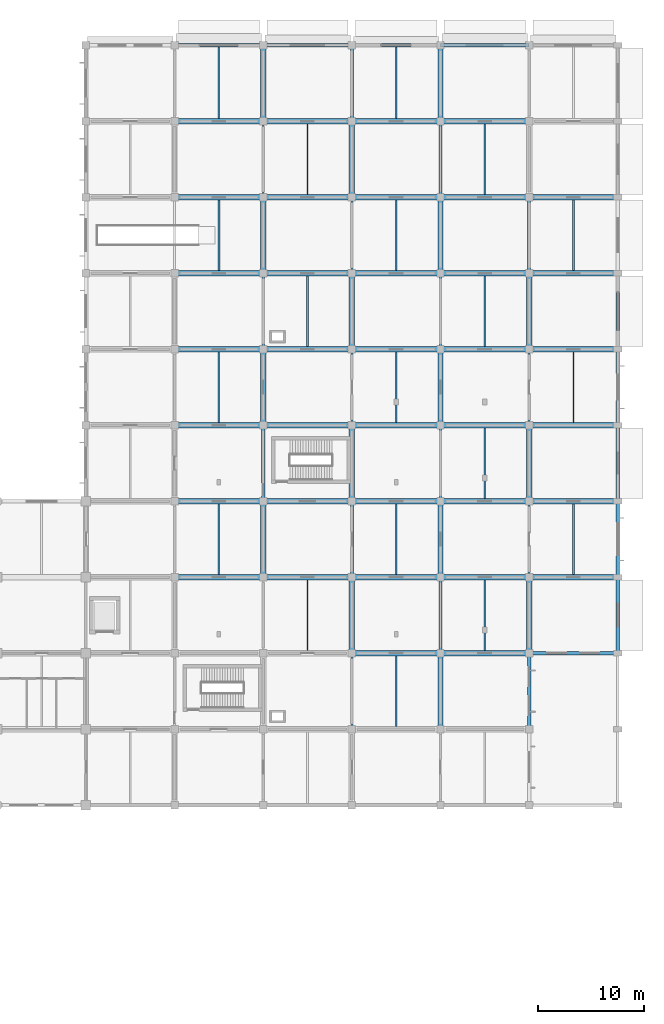
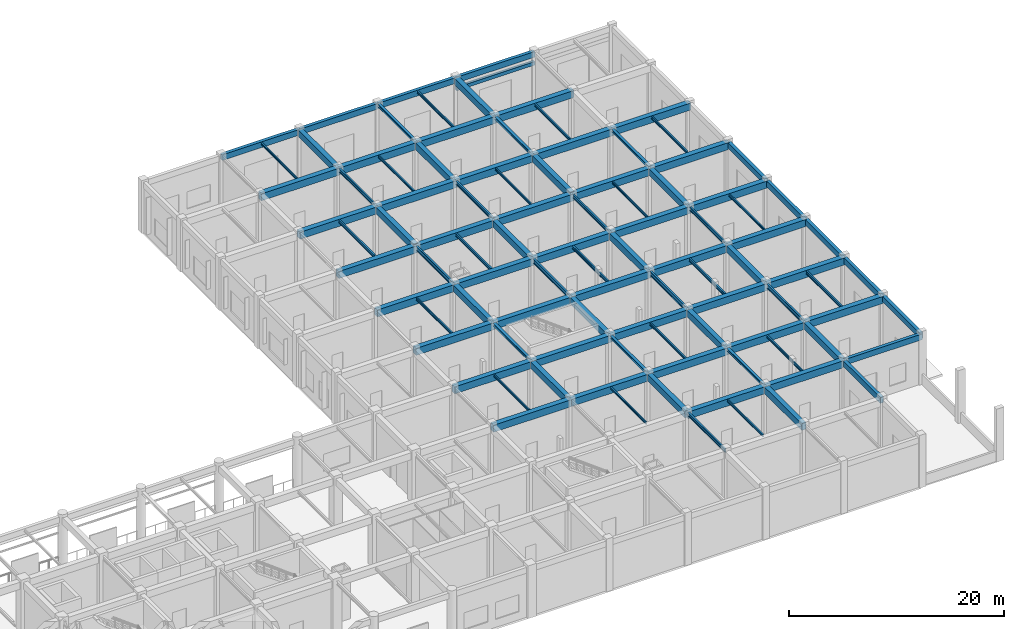
# One storey, part 9 of 39: 98 beams.
"""IFC4 building model written with IfcOpenShell, lengths in metres."""

from ifc_helpers import new_model, si_unit, derived_unit, direction, frame, origin, origin_2d, place, context, subcontext, project, spatial, rectangle, i_section, extrude, material, material_profile, profile_set, type_object, element, save


model = new_model("IFC4")

# Units and contexts
model_context = context("Model", 3, precision=1e-05, world=origin(), true_north=direction((0.0, 1.0)))
body_context = subcontext(model_context, "Body", "Model", "MODEL_VIEW")
ifc_project = project(units=[si_unit("LENGTHUNIT", "METRE"), si_unit("AREAUNIT", "SQUARE_METRE"), si_unit("VOLUMEUNIT", "CUBIC_METRE"), si_unit("PLANEANGLEUNIT", "RADIAN"), si_unit("MASSUNIT", "GRAM", prefix="KILO"), derived_unit("THERMALTRANSMITTANCEUNIT", [(si_unit("MASSUNIT", "GRAM", prefix="KILO"), 1), (si_unit("TIMEUNIT", "SECOND"), -3), (si_unit("THERMODYNAMICTEMPERATUREUNIT", "KELVIN"), -1)])], contexts=[model_context])

# Site, building, storey
site_placement = place(None, origin())
site = spatial("IfcSite", under=ifc_project, at=site_placement, CompositionType="ELEMENT")
building_placement = place(site_placement, origin())
building = spatial("IfcBuilding", under=site, at=building_placement, Name="Veldstrom Oceanarium and Marine Research Institute", CompositionType="ELEMENT")
storey_placement = place(building_placement, origin())
storey = spatial("IfcBuildingStorey", under=building, at=storey_placement, Name="L00", CompositionType="ELEMENT", Elevation=0.0)

# Beams
ifc_material_1 = material(Name="Concrete C40/50", Category="concrete")
ifc_material_profile_1 = material_profile(ifc_material_1, rectangle(XDim=0.550048828125, YDim=0.800048828125, at=origin_2d()), Name="RC-BM-550x800")
ifc_profile_set_1 = profile_set([ifc_material_profile_1], Name="Concrete C40/50")
beam_type_1 = type_object("IfcBeamType", Name="STR-BM-B02", PredefinedType="BEAM", material=ifc_profile_set_1)
for number, where, z_axis, x_axis, name in (
    (1, (126.0, 64.800048828125, 5.27001953125), (1.0, 0.0, 0.0), (0.0, 1.0, 0.0), "Primary Beam B02 L00-0841"),
    (2, (126.0, 72.0, 5.27001953125), (1.0, 0.0, 0.0), (0.0, 1.0, 0.0), "Primary Beam B02 L00-0842"),
    (3, (126.0, 79.199951171875, 5.27001953125), (1.0, 0.0, 0.0), (0.0, 1.0, 0.0), "Primary Beam B02 L00-0843"),
    (4, (126.0, 86.39990234375, 5.27001953125), (1.0, 0.0, 0.0), (0.0, 1.0, 0.0), "Primary Beam B02 L00-0844"),
    (5, (126.0, 93.60009765625, 5.27001953125), (1.0, 0.0, 0.0), (0.0, 1.0, 0.0), "Primary Beam B02 L00-0845"),
    (6, (126.0, 100.800048828125, 5.3701171875), (1.0, 0.0, 0.0), (0.0, 1.0, 0.0), "Primary Beam B02 L00-0846"),
    (7, (126.0, 108.0, 5.3701171875), (1.0, 0.0, 0.0), (0.0, 1.0, 0.0), "Primary Beam B02 L00-0847"),
):
    element("IfcBeam", number, at=place(storey_placement, frame(where, z_axis=z_axis, x_axis=x_axis)), inside=storey, type_object=beam_type_1, Name=name, PredefinedType="BEAM", context=body_context, shape_type="SweptSolid", body=[
        extrude(rectangle(XDim=0.550048828125, YDim=0.800048828125, at=origin_2d()), origin(), (0.0, 0.0, 1.0), 8.39990234375),
    ])
for number, where, z_axis, x_axis, name in (
    (8, (134.39990234375, 64.800048828125, 5.27001953125), (1.0, 0.0, 0.0), (0.0, 1.0, 0.0), "Primary Beam B02 L00-0852"),
    (9, (134.39990234375, 72.0, 5.27001953125), (1.0, 0.0, 0.0), (0.0, 1.0, 0.0), "Primary Beam B02 L00-0853"),
    (10, (134.39990234375, 79.199951171875, 5.27001953125), (1.0, 0.0, 0.0), (0.0, 1.0, 0.0), "Primary Beam B02 L00-0854"),
    (11, (134.39990234375, 86.39990234375, 5.27001953125), (1.0, 0.0, 0.0), (0.0, 1.0, 0.0), "Primary Beam B02 L00-0855"),
    (12, (134.39990234375, 93.60009765625, 5.27001953125), (1.0, 0.0, 0.0), (0.0, 1.0, 0.0), "Primary Beam B02 L00-0856"),
    (13, (134.39990234375, 100.800048828125, 5.3701171875), (1.0, 0.0, 0.0), (0.0, 1.0, 0.0), "Primary Beam B02 L00-0857"),
    (14, (134.39990234375, 108.0, 5.3701171875), (1.0, 0.0, 0.0), (0.0, 1.0, 0.0), "Primary Beam B02 L00-0858"),
):
    element("IfcBeam", number, at=place(storey_placement, frame(where, z_axis=z_axis, x_axis=x_axis)), inside=storey, type_object=beam_type_1, Name=name, PredefinedType="BEAM", context=body_context, shape_type="SweptSolid", body=[
        extrude(rectangle(XDim=0.550048828125, YDim=0.800048828125, at=origin_2d()), origin(), (0.0, 0.0, 1.0), 8.400146484375),
    ])
for number, where, z_axis, x_axis, name in (
    (15, (142.800048828125, 57.60009765625, 5.27001953125), (1.0, 0.0, 0.0), (0.0, 1.0, 0.0), "Primary Beam B02 L00-0862"),
    (16, (142.800048828125, 64.800048828125, 5.27001953125), (1.0, 0.0, 0.0), (0.0, 1.0, 0.0), "Primary Beam B02 L00-0863"),
    (17, (142.800048828125, 72.0, 5.27001953125), (1.0, 0.0, 0.0), (0.0, 1.0, 0.0), "Primary Beam B02 L00-0864"),
    (18, (142.800048828125, 79.199951171875, 5.27001953125), (1.0, 0.0, 0.0), (0.0, 1.0, 0.0), "Primary Beam B02 L00-0865"),
    (19, (142.800048828125, 86.39990234375, 5.27001953125), (1.0, 0.0, 0.0), (0.0, 1.0, 0.0), "Primary Beam B02 L00-0866"),
    (20, (142.800048828125, 93.60009765625, 5.27001953125), (1.0, 0.0, 0.0), (0.0, 1.0, 0.0), "Primary Beam B02 L00-0867"),
    (21, (142.800048828125, 100.800048828125, 5.3701171875), (1.0, 0.0, 0.0), (0.0, 1.0, 0.0), "Primary Beam B02 L00-0868"),
    (22, (142.800048828125, 108.0, 5.3701171875), (1.0, 0.0, 0.0), (0.0, 1.0, 0.0), "Primary Beam B02 L00-0869"),
):
    element("IfcBeam", number, at=place(storey_placement, frame(where, z_axis=z_axis, x_axis=x_axis)), inside=storey, type_object=beam_type_1, Name=name, PredefinedType="BEAM", context=body_context, shape_type="SweptSolid", body=[
        extrude(rectangle(XDim=0.550048828125, YDim=0.800048828125, at=origin_2d()), origin(), (0.0, 0.0, 1.0), 8.39990234375),
    ])
for number, where, z_axis, x_axis, name in (
    (23, (151.199951171875, 57.60009765625, 5.27001953125), (1.0, 0.0, 0.0), (0.0, 1.0, 0.0), "Primary Beam B02 L00-0873"),
    (24, (151.199951171875, 64.800048828125, 5.27001953125), (1.0, 0.0, 0.0), (0.0, 1.0, 0.0), "Primary Beam B02 L00-0874"),
    (25, (151.199951171875, 72.0, 5.27001953125), (1.0, 0.0, 0.0), (0.0, 1.0, 0.0), "Primary Beam B02 L00-0875"),
    (26, (151.199951171875, 79.199951171875, 5.27001953125), (1.0, 0.0, 0.0), (0.0, 1.0, 0.0), "Primary Beam B02 L00-0876"),
    (27, (151.199951171875, 86.39990234375, 5.27001953125), (1.0, 0.0, 0.0), (0.0, 1.0, 0.0), "Primary Beam B02 L00-0877"),
    (28, (151.199951171875, 93.60009765625, 5.27001953125), (1.0, 0.0, 0.0), (0.0, 1.0, 0.0), "Primary Beam B02 L00-0878"),
    (29, (151.199951171875, 100.800048828125, 5.3701171875), (1.0, 0.0, 0.0), (0.0, 1.0, 0.0), "Primary Beam B02 L00-0879"),
    (30, (151.199951171875, 108.0, 5.3701171875), (1.0, 0.0, 0.0), (0.0, 1.0, 0.0), "Primary Beam B02 L00-0880"),
):
    element("IfcBeam", number, at=place(storey_placement, frame(where, z_axis=z_axis, x_axis=x_axis)), inside=storey, type_object=beam_type_1, Name=name, PredefinedType="BEAM", context=body_context, shape_type="SweptSolid", body=[
        extrude(rectangle(XDim=0.550048828125, YDim=0.800048828125, at=origin_2d()), origin(), (0.0, 0.0, 1.0), 8.400146484375),
    ])
for number, where, z_axis, x_axis, name in (
    (31, (159.60009765625, 64.800048828125, 5.27001953125), (1.0, 0.0, 0.0), (0.0, 1.0, 0.0), "Primary Beam B02 L00-0883"),
    (32, (159.60009765625, 72.0, 5.27001953125), (1.0, 0.0, 0.0), (0.0, 1.0, 0.0), "Primary Beam B02 L00-0884"),
    (33, (159.60009765625, 79.199951171875, 5.27001953125), (1.0, 0.0, 0.0), (0.0, 1.0, 0.0), "Primary Beam B02 L00-0885"),
    (34, (159.60009765625, 86.39990234375, 5.27001953125), (1.0, 0.0, 0.0), (0.0, 1.0, 0.0), "Primary Beam B02 L00-0886"),
    (35, (159.60009765625, 93.60009765625, 5.27001953125), (1.0, 0.0, 0.0), (0.0, 1.0, 0.0), "Primary Beam B02 L00-0887"),
    (36, (159.60009765625, 100.800048828125, 5.3701171875), (1.0, 0.0, 0.0), (0.0, 1.0, 0.0), "Primary Beam B02 L00-0888"),
):
    element("IfcBeam", number, at=place(storey_placement, frame(where, z_axis=z_axis, x_axis=x_axis)), inside=storey, type_object=beam_type_1, Name=name, PredefinedType="BEAM", context=body_context, shape_type="SweptSolid", body=[
        extrude(rectangle(XDim=0.550048828125, YDim=0.800048828125, at=origin_2d()), origin(), (0.0, 0.0, 1.0), 8.39990234375),
    ])
ifc_material_2 = material(Name="Concrete C40/50", Category="concrete")
ifc_material_profile_2 = material_profile(ifc_material_2, rectangle(XDim=0.5, YDim=0.75, at=origin_2d()), Name="RC-BM-500x750")
ifc_profile_set_2 = profile_set([ifc_material_profile_2], Name="Concrete C40/50")
beam_type_2 = type_object("IfcBeamType", Name="STR-BM-B03", PredefinedType="BEAM", material=ifc_profile_set_2)
for number, where, z_axis, x_axis, name in (
    (37, (134.39990234375, 64.800048828125, 5.294921875), (0.0, 1.0, 0.0), (-1.0, 0.0, 0.0), "Primary Beam B03 L00-1018"),
    (38, (134.39990234375, 79.199951171875, 5.294921875), (0.0, 1.0, 0.0), (-1.0, 0.0, 0.0), "Primary Beam B03 L00-1020"),
    (39, (134.39990234375, 93.60009765625, 5.39501953125), (0.0, 1.0, 0.0), (-1.0, 0.0, 0.0), "Primary Beam B03 L00-1022"),
    (40, (134.39990234375, 108.0, 5.39501953125), (0.0, 1.0, 0.0), (-1.0, 0.0, 0.0), "Primary Beam B03 L00-1024"),
    (41, (142.800048828125, 57.60009765625, 5.294921875), (0.0, 1.0, 0.0), (-1.0, 0.0, 0.0), "Primary Beam B03 L00-1027"),
    (42, (142.800048828125, 72.0, 5.294921875), (0.0, 1.0, 0.0), (-1.0, 0.0, 0.0), "Primary Beam B03 L00-1029"),
):
    element("IfcBeam", number, at=place(storey_placement, frame(where, z_axis=z_axis, x_axis=x_axis)), inside=storey, type_object=beam_type_2, Name=name, PredefinedType="BEAM", context=body_context, shape_type="SweptSolid", body=[
        extrude(rectangle(XDim=0.5, YDim=0.75, at=origin_2d()), origin(), (0.0, 0.0, 1.0), 7.199951171875),
    ])
beam_1_placement = place(storey_placement, frame((142.800048828125, 86.39990234375, 5.294921875), z_axis=(0.0, 1.0, 0.0), x_axis=(-1.0, 0.0, 0.0)))
element("IfcBeam", 43, at=beam_1_placement, inside=storey, type_object=beam_type_2, Name="Primary Beam B03 L00-1031", PredefinedType="BEAM", context=body_context, shape_type="SweptSolid", body=[
    extrude(rectangle(XDim=0.5, YDim=0.75, at=origin_2d()), origin(), (0.0, 0.0, 1.0), 7.2001953125),
])
beam_2_placement = place(storey_placement, frame((142.800048828125, 100.800048828125, 5.39501953125), z_axis=(0.0, 1.0, 0.0), x_axis=(-1.0, 0.0, 0.0)))
element("IfcBeam", 44, at=beam_2_placement, inside=storey, type_object=beam_type_2, Name="Primary Beam B03 L00-1033", PredefinedType="BEAM", context=body_context, shape_type="SweptSolid", body=[
    extrude(rectangle(XDim=0.5, YDim=0.75, at=origin_2d()), origin(), (0.0, 0.0, 1.0), 7.199951171875),
])
beam_3_placement = place(storey_placement, frame((151.199951171875, 50.39990234375, 5.294921875), z_axis=(0.0, 1.0, 0.0), x_axis=(-1.0, 0.0, 0.0)))
element("IfcBeam", 45, at=beam_3_placement, inside=storey, type_object=beam_type_2, Name="Primary Beam B03 L00-1036", PredefinedType="BEAM", context=body_context, shape_type="SweptSolid", body=[
    extrude(rectangle(XDim=0.5, YDim=0.75, at=origin_2d()), origin(), (0.0, 0.0, 1.0), 7.2001953125),
])
for number, where, z_axis, x_axis, name in (
    (46, (151.199951171875, 64.800048828125, 5.294921875), (0.0, 1.0, 0.0), (-1.0, 0.0, 0.0), "Primary Beam B03 L00-1038"),
    (47, (151.199951171875, 79.199951171875, 5.294921875), (0.0, 1.0, 0.0), (-1.0, 0.0, 0.0), "Primary Beam B03 L00-1040"),
    (48, (151.199951171875, 93.60009765625, 5.39501953125), (0.0, 1.0, 0.0), (-1.0, 0.0, 0.0), "Primary Beam B03 L00-1042"),
    (49, (151.199951171875, 108.0, 5.39501953125), (0.0, 1.0, 0.0), (-1.0, 0.0, 0.0), "Primary Beam B03 L00-1044"),
    (50, (159.60009765625, 57.60009765625, 5.294921875), (0.0, 1.0, 0.0), (-1.0, 0.0, 0.0), "Primary Beam B03 L00-1047"),
    (51, (159.60009765625, 72.0, 5.294921875), (0.0, 1.0, 0.0), (-1.0, 0.0, 0.0), "Primary Beam B03 L00-1049"),
):
    element("IfcBeam", number, at=place(storey_placement, frame(where, z_axis=z_axis, x_axis=x_axis)), inside=storey, type_object=beam_type_2, Name=name, PredefinedType="BEAM", context=body_context, shape_type="SweptSolid", body=[
        extrude(rectangle(XDim=0.5, YDim=0.75, at=origin_2d()), origin(), (0.0, 0.0, 1.0), 7.199951171875),
    ])
beam_4_placement = place(storey_placement, frame((159.60009765625, 86.39990234375, 5.294921875), z_axis=(0.0, 1.0, 0.0), x_axis=(-1.0, 0.0, 0.0)))
element("IfcBeam", 52, at=beam_4_placement, inside=storey, type_object=beam_type_2, Name="Primary Beam B03 L00-1051", PredefinedType="BEAM", context=body_context, shape_type="SweptSolid", body=[
    extrude(rectangle(XDim=0.5, YDim=0.75, at=origin_2d()), origin(), (0.0, 0.0, 1.0), 7.2001953125),
])
ifc_material_3 = material(Name="Steel S355JR", Category="steel")
ifc_material_profile_3 = material_profile(ifc_material_3, i_section(OverallWidth=0.300048828125, OverallDepth=0.2900390625, WebThickness=0.008544921875, FlangeThickness=0.013916015625, FilletRadius=0.027099609375, at=origin_2d()), Name="HEA 300")
ifc_profile_set_3 = profile_set([ifc_material_profile_3], Name="Steel S355JR")
beam_type_3 = type_object("IfcBeamType", Name="STR-BM-SB10", PredefinedType="BEAM", material=ifc_profile_set_3)
for number, where, z_axis, x_axis, name in (
    (53, (134.39990234375, 72.0, 5.52490234375), (0.0, 1.0, 0.0), (-1.0, 0.0, 0.0), "Steel Tie Beam SB10 L00-1019"),
    (54, (142.800048828125, 64.800048828125, 5.52490234375), (0.0, 1.0, 0.0), (-1.0, 0.0, 0.0), "Steel Tie Beam SB10 L00-1028"),
    (55, (142.800048828125, 108.0, 5.625), (0.0, 1.0, 0.0), (-1.0, 0.0, 0.0), "Steel Tie Beam SB10 L00-1034"),
    (56, (151.199951171875, 57.60009765625, 5.52490234375), (0.0, 1.0, 0.0), (-1.0, 0.0, 0.0), "Steel Tie Beam SB10 L00-1037"),
    (57, (151.199951171875, 100.800048828125, 5.625), (0.0, 1.0, 0.0), (-1.0, 0.0, 0.0), "Steel Tie Beam SB10 L00-1043"),
    (58, (159.60009765625, 93.60009765625, 5.625), (0.0, 1.0, 0.0), (-1.0, 0.0, 0.0), "Steel Tie Beam SB10 L00-1052"),
):
    element("IfcBeam", number, at=place(storey_placement, frame(where, z_axis=z_axis, x_axis=x_axis)), inside=storey, type_object=beam_type_3, Name=name, PredefinedType="BEAM", context=body_context, shape_type="SweptSolid", body=[
        extrude(i_section(OverallWidth=0.300048828125, OverallDepth=0.2900390625, WebThickness=0.008544921875, FlangeThickness=0.013916015625, FilletRadius=0.027099609375, at=origin_2d()), origin(), (0.0, 0.0, 1.0), 7.199951171875),
    ])
ifc_material_4 = material(Name="Steel S355JR", Category="steel")
ifc_material_profile_4 = material_profile(ifc_material_4, i_section(OverallWidth=0.199951171875, OverallDepth=0.5, WebThickness=0.01025390625, FlangeThickness=0.01611328125, FilletRadius=0.02099609375, at=origin_2d()), Name="IPE 500")
ifc_profile_set_4 = profile_set([ifc_material_profile_4], Name="Steel S355JR")
beam_type_4 = type_object("IfcBeamType", Name="STR-BM-SB6", PredefinedType="BEAM", material=ifc_profile_set_4)
beam_5_placement = place(storey_placement, frame((134.39990234375, 86.39990234375, 5.419921875), z_axis=(0.0, 1.0, 0.0), x_axis=(-1.0, 0.0, 0.0)))
element("IfcBeam", 59, at=beam_5_placement, inside=storey, type_object=beam_type_4, Name="Steel Tie Beam SB6 L00-1021", PredefinedType="BEAM", context=body_context, shape_type="SweptSolid", body=[
    extrude(i_section(OverallWidth=0.199951171875, OverallDepth=0.5, WebThickness=0.01025390625, FlangeThickness=0.01611328125, FilletRadius=0.02099609375, at=origin_2d()), origin(), (0.0, 0.0, 1.0), 7.2001953125),
])
for number, where, z_axis, x_axis, name in (
    (60, (142.800048828125, 79.199951171875, 5.419921875), (0.0, 1.0, 0.0), (-1.0, 0.0, 0.0), "Steel Tie Beam SB6 L00-1030"),
    (61, (151.199951171875, 72.0, 5.419921875), (0.0, 1.0, 0.0), (-1.0, 0.0, 0.0), "Steel Tie Beam SB6 L00-1039"),
    (62, (159.60009765625, 64.800048828125, 5.419921875), (0.0, 1.0, 0.0), (-1.0, 0.0, 0.0), "Steel Tie Beam SB6 L00-1048"),
):
    element("IfcBeam", number, at=place(storey_placement, frame(where, z_axis=z_axis, x_axis=x_axis)), inside=storey, type_object=beam_type_4, Name=name, PredefinedType="BEAM", context=body_context, shape_type="SweptSolid", body=[
        extrude(i_section(OverallWidth=0.199951171875, OverallDepth=0.5, WebThickness=0.01025390625, FlangeThickness=0.01611328125, FilletRadius=0.02099609375, at=origin_2d()), origin(), (0.0, 0.0, 1.0), 7.199951171875),
    ])
ifc_material_5 = material(Name="Steel S355JR", Category="steel")
ifc_material_profile_5 = material_profile(ifc_material_5, i_section(OverallWidth=0.179931640625, OverallDepth=0.39990234375, WebThickness=0.008544921875, FlangeThickness=0.013427734375, FilletRadius=0.02099609375, at=origin_2d()), Name="IPE 400")
ifc_profile_set_5 = profile_set([ifc_material_profile_5], Name="Steel S355JR")
beam_type_5 = type_object("IfcBeamType", Name="STR-BM-SB8", PredefinedType="BEAM", material=ifc_profile_set_5)
beam_6_placement = place(storey_placement, frame((134.39990234375, 100.800048828125, 5.570068359375), z_axis=(0.0, 1.0, 0.0), x_axis=(-1.0, 0.0, 0.0)))
element("IfcBeam", 63, at=beam_6_placement, inside=storey, type_object=beam_type_5, Name="Steel Tie Beam SB8 L00-1023", PredefinedType="BEAM", context=body_context, shape_type="SweptSolid", body=[
    extrude(i_section(OverallWidth=0.179931640625, OverallDepth=0.39990234375, WebThickness=0.008544921875, FlangeThickness=0.013427734375, FilletRadius=0.02099609375, at=origin_2d()), origin(), (0.0, 0.0, 1.0), 7.199951171875),
])
beam_7_placement = place(storey_placement, frame((142.800048828125, 50.39990234375, 5.469970703125), z_axis=(0.0, 1.0, 0.0), x_axis=(-1.0, 0.0, 0.0)))
element("IfcBeam", 64, at=beam_7_placement, inside=storey, type_object=beam_type_5, Name="Steel Tie Beam SB8 L00-1026", PredefinedType="BEAM", context=body_context, shape_type="SweptSolid", body=[
    extrude(i_section(OverallWidth=0.179931640625, OverallDepth=0.39990234375, WebThickness=0.008544921875, FlangeThickness=0.013427734375, FilletRadius=0.02099609375, at=origin_2d()), origin(), (0.0, 0.0, 1.0), 7.2001953125),
])
beam_8_placement = place(storey_placement, frame((142.800048828125, 93.60009765625, 5.570068359375), z_axis=(0.0, 1.0, 0.0), x_axis=(-1.0, 0.0, 0.0)))
element("IfcBeam", 65, at=beam_8_placement, inside=storey, type_object=beam_type_5, Name="Steel Tie Beam SB8 L00-1032", PredefinedType="BEAM", context=body_context, shape_type="SweptSolid", body=[
    extrude(i_section(OverallWidth=0.179931640625, OverallDepth=0.39990234375, WebThickness=0.008544921875, FlangeThickness=0.013427734375, FilletRadius=0.02099609375, at=origin_2d()), origin(), (0.0, 0.0, 1.0), 7.199951171875),
])
beam_9_placement = place(storey_placement, frame((151.199951171875, 86.39990234375, 5.469970703125), z_axis=(0.0, 1.0, 0.0), x_axis=(-1.0, 0.0, 0.0)))
element("IfcBeam", 66, at=beam_9_placement, inside=storey, type_object=beam_type_5, Name="Steel Tie Beam SB8 L00-1041", PredefinedType="BEAM", context=body_context, shape_type="SweptSolid", body=[
    extrude(i_section(OverallWidth=0.179931640625, OverallDepth=0.39990234375, WebThickness=0.008544921875, FlangeThickness=0.013427734375, FilletRadius=0.02099609375, at=origin_2d()), origin(), (0.0, 0.0, 1.0), 7.2001953125),
])
beam_10_placement = place(storey_placement, frame((159.60009765625, 79.199951171875, 5.469970703125), z_axis=(0.0, 1.0, 0.0), x_axis=(-1.0, 0.0, 0.0)))
element("IfcBeam", 67, at=beam_10_placement, inside=storey, type_object=beam_type_5, Name="Steel Tie Beam SB8 L00-1050", PredefinedType="BEAM", context=body_context, shape_type="SweptSolid", body=[
    extrude(i_section(OverallWidth=0.179931640625, OverallDepth=0.39990234375, WebThickness=0.008544921875, FlangeThickness=0.013427734375, FilletRadius=0.02099609375, at=origin_2d()), origin(), (0.0, 0.0, 1.0), 7.199951171875),
])
ifc_material_6 = material(Name="Steel S355JR", Category="steel")
ifc_material_profile_6 = material_profile(ifc_material_6, i_section(OverallWidth=0.169921875, OverallDepth=0.360107421875, WebThickness=0.008056640625, FlangeThickness=0.0126953125, FilletRadius=0.01806640625, at=origin_2d()), Name="IPE 360")
ifc_profile_set_6 = profile_set([ifc_material_profile_6], Name="Steel S355JR")
beam_type_6 = type_object("IfcBeamType", Name="STR-JST-SJ1", PredefinedType="JOIST", material=ifc_profile_set_6)
for number, where, z_axis, x_axis, name in (
    (68, (130.199951171875, 93.875, 5.590087890625), (0.0, 1.0, 0.0), (-1.0, 0.0, 0.0), "Secondary Joist SJ1 L00-1112"),
    (69, (138.60009765625, 86.675048828125, 5.489990234375), (0.0, 1.0, 0.0), (-1.0, 0.0, 0.0), "Secondary Joist SJ1 L00-1116"),
    (70, (147.0, 79.47509765625, 5.489990234375), (0.0, 1.0, 0.0), (-1.0, 0.0, 0.0), "Secondary Joist SJ1 L00-1120"),
):
    element("IfcBeam", number, at=place(storey_placement, frame(where, z_axis=z_axis, x_axis=x_axis)), inside=storey, type_object=beam_type_6, Name=name, PredefinedType="JOIST", context=body_context, shape_type="SweptSolid", body=[
        extrude(i_section(OverallWidth=0.169921875, OverallDepth=0.360107421875, WebThickness=0.008056640625, FlangeThickness=0.0126953125, FilletRadius=0.01806640625, at=origin_2d()), origin(), (0.0, 0.0, 1.0), 6.64990234375),
    ])
for number, where, z_axis, x_axis, name in (
    (71, (155.39990234375, 72.27490234375, 5.489990234375), (0.0, 1.0, 0.0), (-1.0, 0.0, 0.0), "Secondary Joist SJ1 L00-1125"),
    (72, (163.800048828125, 65.074951171875, 5.489990234375), (0.0, 1.0, 0.0), (-1.0, 0.0, 0.0), "Secondary Joist SJ1 L00-1128"),
):
    element("IfcBeam", number, at=place(storey_placement, frame(where, z_axis=z_axis, x_axis=x_axis)), inside=storey, type_object=beam_type_6, Name=name, PredefinedType="JOIST", context=body_context, shape_type="SweptSolid", body=[
        extrude(i_section(OverallWidth=0.169921875, OverallDepth=0.360107421875, WebThickness=0.008056640625, FlangeThickness=0.0126953125, FilletRadius=0.01806640625, at=origin_2d()), origin(), (0.0, 0.0, 1.0), 6.650146484375),
    ])
ifc_material_7 = material(Name="Steel S355JR", Category="steel")
ifc_material_profile_7 = material_profile(ifc_material_7, i_section(OverallWidth=0.14990234375, OverallDepth=0.300048828125, WebThickness=0.007080078125, FlangeThickness=0.0107421875, FilletRadius=0.014892578125, at=origin_2d()), Name="IPE 300")
ifc_profile_set_7 = profile_set([ifc_material_profile_7], Name="Steel S355JR")
beam_type_7 = type_object("IfcBeamType", Name="STR-JST-SJ2", PredefinedType="JOIST", material=ifc_profile_set_7)
beam_11_placement = place(storey_placement, frame((130.199951171875, 79.47509765625, 5.52001953125), z_axis=(0.0, 1.0, 0.0), x_axis=(-1.0, 0.0, 0.0)))
element("IfcBeam", 73, at=beam_11_placement, inside=storey, type_object=beam_type_7, Name="Secondary Joist SJ2 L00-1111", PredefinedType="JOIST", context=body_context, shape_type="SweptSolid", body=[
    extrude(i_section(OverallWidth=0.14990234375, OverallDepth=0.300048828125, WebThickness=0.007080078125, FlangeThickness=0.0107421875, FilletRadius=0.014892578125, at=origin_2d()), origin(), (0.0, 0.0, 1.0), 6.64990234375),
])
beam_12_placement = place(storey_placement, frame((147.0, 65.074951171875, 5.52001953125), z_axis=(0.0, 1.0, 0.0), x_axis=(-1.0, 0.0, 0.0)))
element("IfcBeam", 74, at=beam_12_placement, inside=storey, type_object=beam_type_7, Name="Secondary Joist SJ2 L00-1119", PredefinedType="JOIST", context=body_context, shape_type="SweptSolid", body=[
    extrude(i_section(OverallWidth=0.14990234375, OverallDepth=0.300048828125, WebThickness=0.007080078125, FlangeThickness=0.0107421875, FilletRadius=0.014892578125, at=origin_2d()), origin(), (0.0, 0.0, 1.0), 6.650146484375),
])
beam_13_placement = place(storey_placement, frame((147.0, 108.27490234375, 5.6201171875), z_axis=(0.0, 1.0, 0.0), x_axis=(-1.0, 0.0, 0.0)))
element("IfcBeam", 75, at=beam_13_placement, inside=storey, type_object=beam_type_7, Name="Secondary Joist SJ2 L00-1122", PredefinedType="JOIST", context=body_context, shape_type="SweptSolid", body=[
    extrude(i_section(OverallWidth=0.14990234375, OverallDepth=0.300048828125, WebThickness=0.007080078125, FlangeThickness=0.0107421875, FilletRadius=0.014892578125, at=origin_2d()), origin(), (0.0, 0.0, 1.0), 6.75),
])
beam_14_placement = place(storey_placement, frame((155.39990234375, 57.875, 5.52001953125), z_axis=(0.0, 1.0, 0.0), x_axis=(-1.0, 0.0, 0.0)))
element("IfcBeam", 76, at=beam_14_placement, inside=storey, type_object=beam_type_7, Name="Secondary Joist SJ2 L00-1124", PredefinedType="JOIST", context=body_context, shape_type="SweptSolid", body=[
    extrude(i_section(OverallWidth=0.14990234375, OverallDepth=0.300048828125, WebThickness=0.007080078125, FlangeThickness=0.0107421875, FilletRadius=0.014892578125, at=origin_2d()), origin(), (0.0, 0.0, 1.0), 6.64990234375),
])
beam_15_placement = place(storey_placement, frame((155.39990234375, 101.074951171875, 5.6201171875), z_axis=(0.0, 1.0, 0.0), x_axis=(-1.0, 0.0, 0.0)))
element("IfcBeam", 77, at=beam_15_placement, inside=storey, type_object=beam_type_7, Name="Secondary Joist SJ2 L00-1127", PredefinedType="JOIST", context=body_context, shape_type="SweptSolid", body=[
    extrude(i_section(OverallWidth=0.14990234375, OverallDepth=0.300048828125, WebThickness=0.007080078125, FlangeThickness=0.0107421875, FilletRadius=0.014892578125, at=origin_2d()), origin(), (0.0, 0.0, 1.0), 6.650146484375),
])
beam_16_placement = place(storey_placement, frame((163.800048828125, 93.875, 5.6201171875), z_axis=(0.0, 1.0, 0.0), x_axis=(-1.0, 0.0, 0.0)))
element("IfcBeam", 78, at=beam_16_placement, inside=storey, type_object=beam_type_7, Name="Secondary Joist SJ2 L00-1130", PredefinedType="JOIST", context=body_context, shape_type="SweptSolid", body=[
    extrude(i_section(OverallWidth=0.14990234375, OverallDepth=0.300048828125, WebThickness=0.007080078125, FlangeThickness=0.0107421875, FilletRadius=0.014892578125, at=origin_2d()), origin(), (0.0, 0.0, 1.0), 6.64990234375),
])
ifc_material_8 = material(Name="Steel S355JR", Category="steel")
ifc_material_profile_8 = material_profile(ifc_material_8, i_section(OverallWidth=0.135009765625, OverallDepth=0.27001953125, WebThickness=0.006591796875, FlangeThickness=0.01025390625, FilletRadius=0.014892578125, at=origin_2d()), Name="IPE 270")
ifc_profile_set_8 = profile_set([ifc_material_profile_8], Name="Steel S355JR")
beam_type_8 = type_object("IfcBeamType", Name="STR-JST-SJ3", PredefinedType="JOIST", material=ifc_profile_set_8)
beam_17_placement = place(storey_placement, frame((130.199951171875, 65.074951171875, 5.534912109375), z_axis=(0.0, 1.0, 0.0), x_axis=(-1.0, 0.0, 0.0)))
element("IfcBeam", 79, at=beam_17_placement, inside=storey, type_object=beam_type_8, Name="Secondary Joist SJ3 L00-1110", PredefinedType="JOIST", context=body_context, shape_type="SweptSolid", body=[
    extrude(i_section(OverallWidth=0.135009765625, OverallDepth=0.27001953125, WebThickness=0.006591796875, FlangeThickness=0.01025390625, FilletRadius=0.014892578125, at=origin_2d()), origin(), (0.0, 0.0, 1.0), 6.650146484375),
])
beam_18_placement = place(storey_placement, frame((130.199951171875, 108.27490234375, 5.635009765625), z_axis=(0.0, 1.0, 0.0), x_axis=(-1.0, 0.0, 0.0)))
element("IfcBeam", 80, at=beam_18_placement, inside=storey, type_object=beam_type_8, Name="Secondary Joist SJ3 L00-1113", PredefinedType="JOIST", context=body_context, shape_type="SweptSolid", body=[
    extrude(i_section(OverallWidth=0.135009765625, OverallDepth=0.27001953125, WebThickness=0.006591796875, FlangeThickness=0.01025390625, FilletRadius=0.014892578125, at=origin_2d()), origin(), (0.0, 0.0, 1.0), 6.75),
])
beam_19_placement = place(storey_placement, frame((138.60009765625, 57.875, 5.534912109375), z_axis=(0.0, 1.0, 0.0), x_axis=(-1.0, 0.0, 0.0)))
element("IfcBeam", 81, at=beam_19_placement, inside=storey, type_object=beam_type_8, Name="Secondary Joist SJ3 L00-1115", PredefinedType="JOIST", context=body_context, shape_type="SweptSolid", body=[
    extrude(i_section(OverallWidth=0.135009765625, OverallDepth=0.27001953125, WebThickness=0.006591796875, FlangeThickness=0.01025390625, FilletRadius=0.014892578125, at=origin_2d()), origin(), (0.0, 0.0, 1.0), 6.64990234375),
])
beam_20_placement = place(storey_placement, frame((138.60009765625, 101.074951171875, 5.635009765625), z_axis=(0.0, 1.0, 0.0), x_axis=(-1.0, 0.0, 0.0)))
element("IfcBeam", 82, at=beam_20_placement, inside=storey, type_object=beam_type_8, Name="Secondary Joist SJ3 L00-1117", PredefinedType="JOIST", context=body_context, shape_type="SweptSolid", body=[
    extrude(i_section(OverallWidth=0.135009765625, OverallDepth=0.27001953125, WebThickness=0.006591796875, FlangeThickness=0.01025390625, FilletRadius=0.014892578125, at=origin_2d()), origin(), (0.0, 0.0, 1.0), 6.650146484375),
])
for number, where, z_axis, x_axis, name in (
    (83, (147.0, 50.675048828125, 5.534912109375), (0.0, 1.0, 0.0), (-1.0, 0.0, 0.0), "Secondary Joist SJ3 L00-1118"),
    (84, (147.0, 93.875, 5.635009765625), (0.0, 1.0, 0.0), (-1.0, 0.0, 0.0), "Secondary Joist SJ3 L00-1121"),
    (85, (155.39990234375, 86.675048828125, 5.534912109375), (0.0, 1.0, 0.0), (-1.0, 0.0, 0.0), "Secondary Joist SJ3 L00-1126"),
    (86, (163.800048828125, 79.47509765625, 5.534912109375), (0.0, 1.0, 0.0), (-1.0, 0.0, 0.0), "Secondary Joist SJ3 L00-1129"),
):
    element("IfcBeam", number, at=place(storey_placement, frame(where, z_axis=z_axis, x_axis=x_axis)), inside=storey, type_object=beam_type_8, Name=name, PredefinedType="JOIST", context=body_context, shape_type="SweptSolid", body=[
        extrude(i_section(OverallWidth=0.135009765625, OverallDepth=0.27001953125, WebThickness=0.006591796875, FlangeThickness=0.01025390625, FilletRadius=0.014892578125, at=origin_2d()), origin(), (0.0, 0.0, 1.0), 6.64990234375),
    ])
ifc_material_9 = material(Name="Concrete C40/50", Category="concrete")
ifc_material_profile_9 = material_profile(ifc_material_9, rectangle(XDim=0.300048828125, YDim=0.39990234375, at=origin_2d()), Name="RC-LNT-300x400")
ifc_profile_set_9 = profile_set([ifc_material_profile_9], Name="Concrete C40/50")
beam_type_9 = type_object("IfcBeamType", Name="STR-LNT-LN1", PredefinedType="LINTEL", material=ifc_profile_set_9)
beam_21_placement = place(storey_placement, frame((151.199951171875, 115.199951171875, 4.39990234375), z_axis=(1.0, 0.0, 0.0), x_axis=(0.0, 1.0, 0.0)))
element("IfcBeam", 87, at=beam_21_placement, inside=storey, type_object=beam_type_9, Name="Portal Lintel LN1-01", PredefinedType="LINTEL", context=body_context, shape_type="SweptSolid", body=[
    extrude(rectangle(XDim=0.300048828125, YDim=0.39990234375, at=origin_2d()), origin(), (0.0, 0.0, 1.0), 8.400146484375),
])
ifc_material_10 = material(Name="Concrete C40/50", Category="concrete")
ifc_material_profile_10 = material_profile(ifc_material_10, rectangle(XDim=0.35009765625, YDim=0.64990234375, at=origin_2d()), Name="RC-SPN-350x650")
ifc_profile_set_10 = profile_set([ifc_material_profile_10], Name="Concrete C40/50")
beam_type_10 = type_object("IfcBeamType", Name="STR-SPN-SP1", PredefinedType="SPANDREL", material=ifc_profile_set_10)
beam_22_placement = place(storey_placement, frame((126.0, 115.199951171875, 5.445068359375), z_axis=(1.0, 0.0, 0.0), x_axis=(0.0, 1.0, 0.0)))
element("IfcBeam", 88, at=beam_22_placement, inside=storey, type_object=beam_type_10, Name="Perimeter Spandrel SPB1 L00-0848", PredefinedType="SPANDREL", context=body_context, shape_type="SweptSolid", body=[
    extrude(rectangle(XDim=0.35009765625, YDim=0.64990234375, at=origin_2d()), origin(), (0.0, 0.0, 1.0), 8.39990234375),
])
beam_23_placement = place(storey_placement, frame((134.39990234375, 115.199951171875, 5.445068359375), z_axis=(1.0, 0.0, 0.0), x_axis=(0.0, 1.0, 0.0)))
element("IfcBeam", 89, at=beam_23_placement, inside=storey, type_object=beam_type_10, Name="Perimeter Spandrel SPB1 L00-0859", PredefinedType="SPANDREL", context=body_context, shape_type="SweptSolid", body=[
    extrude(rectangle(XDim=0.35009765625, YDim=0.64990234375, at=origin_2d()), origin(), (0.0, 0.0, 1.0), 8.400146484375),
])
beam_24_placement = place(storey_placement, frame((142.800048828125, 115.199951171875, 5.445068359375), z_axis=(1.0, 0.0, 0.0), x_axis=(0.0, 1.0, 0.0)))
element("IfcBeam", 90, at=beam_24_placement, inside=storey, type_object=beam_type_10, Name="Perimeter Spandrel SPB1 L00-0870", PredefinedType="SPANDREL", context=body_context, shape_type="SweptSolid", body=[
    extrude(rectangle(XDim=0.35009765625, YDim=0.64990234375, at=origin_2d()), origin(), (0.0, 0.0, 1.0), 8.39990234375),
])
beam_25_placement = place(storey_placement, frame((151.199951171875, 115.199951171875, 5.445068359375), z_axis=(1.0, 0.0, 0.0), x_axis=(0.0, 1.0, 0.0)))
element("IfcBeam", 91, at=beam_25_placement, inside=storey, type_object=beam_type_10, Name="Perimeter Spandrel SPB1 L00-0881", PredefinedType="SPANDREL", context=body_context, shape_type="SweptSolid", body=[
    extrude(rectangle(XDim=0.35009765625, YDim=0.64990234375, at=origin_2d()), origin(), (0.0, 0.0, 1.0), 8.400146484375),
])
beam_26_placement = place(storey_placement, frame((159.60009765625, 57.60009765625, 5.344970703125), z_axis=(1.0, 0.0, 0.0), x_axis=(0.0, 1.0, 0.0)))
element("IfcBeam", 92, at=beam_26_placement, inside=storey, type_object=beam_type_10, Name="Perimeter Spandrel SPB1 L00-0882", PredefinedType="SPANDREL", context=body_context, shape_type="SweptSolid", body=[
    extrude(rectangle(XDim=0.35009765625, YDim=0.64990234375, at=origin_2d()), origin(), (0.0, 0.0, 1.0), 8.39990234375),
])
beam_27_placement = place(storey_placement, frame((159.60009765625, 50.39990234375, 5.344970703125), z_axis=(0.0, 1.0, 0.0), x_axis=(-1.0, 0.0, 0.0)))
element("IfcBeam", 93, at=beam_27_placement, inside=storey, type_object=beam_type_10, Name="Perimeter Spandrel SPB1 L00-1046", PredefinedType="SPANDREL", context=body_context, shape_type="SweptSolid", body=[
    extrude(rectangle(XDim=0.35009765625, YDim=0.64990234375, at=origin_2d()), origin(), (0.0, 0.0, 1.0), 7.2001953125),
])
for number, where, z_axis, x_axis, name in (
    (94, (168.0, 57.60009765625, 5.344970703125), (0.0, 1.0, 0.0), (-1.0, 0.0, 0.0), "Perimeter Spandrel SPB1 L00-1055"),
    (95, (168.0, 64.800048828125, 5.344970703125), (0.0, 1.0, 0.0), (-1.0, 0.0, 0.0), "Perimeter Spandrel SPB1 L00-1056"),
    (96, (168.0, 72.0, 5.344970703125), (0.0, 1.0, 0.0), (-1.0, 0.0, 0.0), "Perimeter Spandrel SPB1 L00-1057"),
    (97, (168.0, 79.199951171875, 5.344970703125), (0.0, 1.0, 0.0), (-1.0, 0.0, 0.0), "Perimeter Spandrel SPB1 L00-1058"),
):
    element("IfcBeam", number, at=place(storey_placement, frame(where, z_axis=z_axis, x_axis=x_axis)), inside=storey, type_object=beam_type_10, Name=name, PredefinedType="SPANDREL", context=body_context, shape_type="SweptSolid", body=[
        extrude(rectangle(XDim=0.35009765625, YDim=0.64990234375, at=origin_2d()), origin(), (0.0, 0.0, 1.0), 7.199951171875),
    ])
beam_28_placement = place(storey_placement, frame((168.0, 86.39990234375, 5.344970703125), z_axis=(0.0, 1.0, 0.0), x_axis=(-1.0, 0.0, 0.0)))
element("IfcBeam", 98, at=beam_28_placement, inside=storey, type_object=beam_type_10, Name="Perimeter Spandrel SPB1 L00-1059", PredefinedType="SPANDREL", context=body_context, shape_type="SweptSolid", body=[
    extrude(rectangle(XDim=0.35009765625, YDim=0.64990234375, at=origin_2d()), origin(), (0.0, 0.0, 1.0), 7.2001953125),
])

save(model, "model.ifc")
